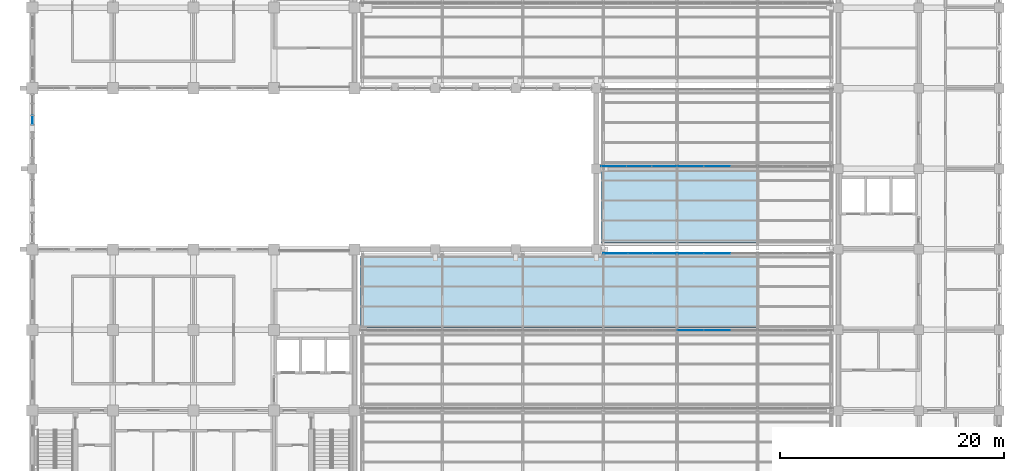
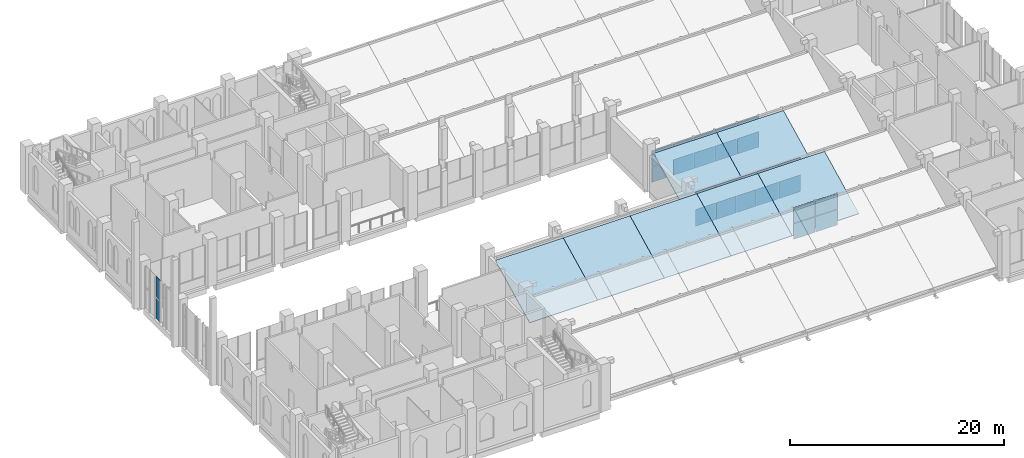
# One storey, part 62 of 83: 26 plates, 7 slabs, 6 elements without a shape of their own.
"""IFC4 building model written with IfcOpenShell, lengths in metres."""

from ifc_helpers import new_model, si_unit, direction, frame, origin, origin_2d, place, context, subcontext, project, spatial, polyline, rectangle, outline, extrude, material, layer, layer_set, type_object, element, aggregate, save


model = new_model("IFC4")

# Units and contexts
model_context = context("Model", 3, precision=1e-05, world=origin(), true_north=direction((0.0, 1.0)))
body_context = subcontext(model_context, "Body", "Model", "MODEL_VIEW")
ifc_project = project(units=[si_unit("LENGTHUNIT", "METRE"), si_unit("AREAUNIT", "SQUARE_METRE"), si_unit("VOLUMEUNIT", "CUBIC_METRE"), si_unit("PLANEANGLEUNIT", "RADIAN"), si_unit("MASSUNIT", "GRAM", prefix="KILO")], contexts=[model_context])

# Site, building, storey
site_placement = place(None, origin())
site = spatial("IfcSite", under=ifc_project, at=site_placement, CompositionType="ELEMENT")
building_placement = place(site_placement, origin())
building = spatial("IfcBuilding", under=site, at=building_placement, Name="Silangan Lancet Faculty of Sciences", CompositionType="ELEMENT")
storey_placement = place(building_placement, frame((0.0, 0.0, 11.39990234375)))
storey = spatial("IfcBuildingStorey", under=building, at=storey_placement, Name="L02", CompositionType="ELEMENT", Elevation=11.39990234375)

# Curtain wall, plates
ifc_material_1 = material(Name="Aluminium framed curtain wall with insulated glass", Category="aluminium")
curtain_wall_type_1 = type_object("IfcCurtainWallType", Name="CW3 West stepped lancet window", PredefinedType="NOTDEFINED", material=ifc_material_1)
curtain_wall_1_placement = place(storey_placement, origin())
curtain_wall_1 = element("IfcCurtainWall", 1, at=curtain_wall_1_placement, inside=storey, type_object=curtain_wall_type_1, Name="CW3 West window L02 bay 4", PredefinedType="NOTDEFINED")
ifc_material_2 = material(Name="Insulated glass unit 8+16+8 low-emissivity", Category="glass")
ifc_layer_1 = layer(ifc_material_2, 0.031982421875)
ifc_layer_set_1 = layer_set([ifc_layer_1], Name="Insulated glass unit 8+16+8 low-emissivity")
plate_type_1 = type_object("IfcPlateType", Name="CP1 Panel vision glass 32", PredefinedType="CURTAIN_PANEL", material=ifc_layer_set_1)
plate_1_placement = place(storey_placement, frame((0.0, 33.14990234375, 2.5), z_axis=(0.0, 0.0, 1.0), x_axis=(0.0, 1.0, 0.0)))
plate_1 = element("IfcPlate", 2, at=plate_1_placement, type_object=plate_type_1, Name="CW3 West window L02 bay 4 panel 3", PredefinedType="CURTAIN_PANEL", context=body_context, shape_type="SweptSolid", body=[
    extrude(rectangle(XDim=0.75, YDim=0.031982421875, at=origin_2d()), origin(), (0.0, 0.0, 1.0), 2.300048828125),
])
ifc_material_3 = material(Name="Laminated insulated glass unit 10.76+14+8", Category="glass")
ifc_layer_2 = layer(ifc_material_3, 0.035888671875)
ifc_layer_set_2 = layer_set([ifc_layer_2], Name="Laminated insulated glass unit 10.76+14+8")
plate_type_2 = type_object("IfcPlateType", Name="CP2 Panel laminated glass 36", PredefinedType="CURTAIN_PANEL", material=ifc_layer_set_2)
plate_2_placement = place(storey_placement, frame((0.0, 33.14990234375, 0.000244140625), z_axis=(0.0, 0.0, 1.0), x_axis=(0.0, 1.0, 0.0)))
plate_2 = element("IfcPlate", 3, at=plate_2_placement, type_object=plate_type_2, Name="CW3 West window L02 bay 4 panel 1", PredefinedType="CURTAIN_PANEL", context=body_context, shape_type="SweptSolid", body=[
    extrude(rectangle(XDim=0.75, YDim=0.035888671875, at=origin_2d()), origin(), (0.0, 0.0, 1.0), 2.39990234375),
])
aggregate(curtain_wall_1, [plate_2, plate_1])

ifc_material_4 = material(Name="Aluminium and laminated glass", Category="aluminium")
curtain_wall_type_2 = type_object("IfcCurtainWallType", Name="North light glazing system", PredefinedType="NOTDEFINED", material=ifc_material_4)
curtain_wall_2_placement = place(storey_placement, origin())
curtain_wall_2 = element("IfcCurtainWall", 4, at=curtain_wall_2_placement, inside=storey, type_object=curtain_wall_type_2, Name="North light glazing SAB-3-4", PredefinedType="NOTDEFINED")
ifc_material_5 = material(Name="Laminated glass 12 + 12", Category="glass")
ifc_layer_3 = layer(ifc_material_5, 0.02392578125)
ifc_layer_set_3 = layer_set([ifc_layer_3], Name="Laminated glass 12 + 12")
plate_type_3 = type_object("IfcPlateType", Name="North light glass panel 2122x1912", PredefinedType="CURTAIN_PANEL", material=ifc_layer_set_3)
plate_3_placement = place(storey_placement, frame((53.2666015625, 21.218017578125, 0.10009765625), z_axis=(0.0, -1.0, 0.0), x_axis=(1.0, 0.0, 0.0)))
plate_3 = element("IfcPlate", 5, at=plate_3_placement, type_object=plate_type_3, Name="North light glass SAB-3-4 1-2", PredefinedType="CURTAIN_PANEL", context=body_context, shape_type="SweptSolid", body=[
    extrude(outline(polyline([(0.0, 0.0), (2.12158203125, 0.0), (2.12158203125, 1.912109375), (0.0, 1.912109375), (0.0, 0.0)])), origin(), (0.0, 0.0, -1.0), 0.02392578125),
])
plate_4_placement = place(storey_placement, frame((53.2666015625, 21.218017578125, 2.072021484375), z_axis=(0.0, -1.0, 0.0), x_axis=(1.0, 0.0, 0.0)))
plate_4 = element("IfcPlate", 6, at=plate_4_placement, type_object=plate_type_3, Name="North light glass SAB-3-4 2-2", PredefinedType="CURTAIN_PANEL", context=body_context, shape_type="SweptSolid", body=[
    extrude(outline(polyline([(0.0, 0.0), (2.12158203125, 0.0), (2.12158203125, 1.912109375), (0.0, 1.912109375), (0.0, 0.0)])), origin(), (0.0, 0.0, -1.0), 0.02392578125),
])
plate_5_placement = place(storey_placement, frame((55.4482421875, 21.218017578125, 0.10009765625), z_axis=(0.0, -1.0, 0.0), x_axis=(1.0, 0.0, 0.0)))
plate_5 = element("IfcPlate", 7, at=plate_5_placement, type_object=plate_type_3, Name="North light glass SAB-3-4 1-3", PredefinedType="CURTAIN_PANEL", context=body_context, shape_type="SweptSolid", body=[
    extrude(outline(polyline([(0.0, 0.0), (2.121826171875, 0.0), (2.121826171875, 1.912109375), (0.0, 1.912109375), (0.0, 0.0)])), origin(), (0.0, 0.0, -1.0), 0.02392578125),
])
plate_6_placement = place(storey_placement, frame((55.4482421875, 21.218017578125, 2.072021484375), z_axis=(0.0, -1.0, 0.0), x_axis=(1.0, 0.0, 0.0)))
plate_6 = element("IfcPlate", 8, at=plate_6_placement, type_object=plate_type_3, Name="North light glass SAB-3-4 2-3", PredefinedType="CURTAIN_PANEL", context=body_context, shape_type="SweptSolid", body=[
    extrude(outline(polyline([(0.0, 0.0), (2.121826171875, 0.0), (2.121826171875, 1.912109375), (0.0, 1.912109375), (0.0, 0.0)])), origin(), (0.0, 0.0, -1.0), 0.02392578125),
])
ifc_material_6 = material(Name="Laminated glass 12 + 12", Category="glass")
ifc_layer_4 = layer(ifc_material_6, 0.02392578125)
ifc_layer_set_4 = layer_set([ifc_layer_4], Name="Laminated glass 12 + 12")
plate_type_4 = type_object("IfcPlateType", Name="North light glass panel 2182x1912", PredefinedType="CURTAIN_PANEL", material=ifc_layer_set_4)
plate_7_placement = place(storey_placement, frame((51.02490234375, 21.218017578125, 0.10009765625), z_axis=(0.0, -1.0, 0.0), x_axis=(1.0, 0.0, 0.0)))
plate_7 = element("IfcPlate", 9, at=plate_7_placement, type_object=plate_type_4, Name="North light glass SAB-3-4 1-1", PredefinedType="CURTAIN_PANEL", context=body_context, shape_type="SweptSolid", body=[
    extrude(outline(polyline([(0.0, 0.0), (2.181884765625, 0.0), (2.181884765625, 1.912109375), (0.0, 1.912109375), (0.0, 0.0)])), origin(), (0.0, 0.0, -1.0), 0.02392578125),
])
plate_8_placement = place(storey_placement, frame((51.02490234375, 21.218017578125, 2.072021484375), z_axis=(0.0, -1.0, 0.0), x_axis=(1.0, 0.0, 0.0)))
plate_8 = element("IfcPlate", 10, at=plate_8_placement, type_object=plate_type_4, Name="North light glass SAB-3-4 2-1", PredefinedType="CURTAIN_PANEL", context=body_context, shape_type="SweptSolid", body=[
    extrude(outline(polyline([(0.0, 0.0), (2.181884765625, 0.0), (2.181884765625, 1.912109375), (0.0, 1.912109375), (0.0, 0.0)])), origin(), (0.0, 0.0, -1.0), 0.02392578125),
])
aggregate(curtain_wall_2, [plate_7, plate_8, plate_3, plate_4, plate_5, plate_6])

curtain_wall_3_placement = place(storey_placement, origin())
curtain_wall_3 = element("IfcCurtainWall", 11, at=curtain_wall_3_placement, inside=storey, type_object=curtain_wall_type_2, Name="North light glazing AUD-1-1", PredefinedType="NOTDEFINED")
ifc_material_7 = material(Name="Laminated glass 12 + 12", Category="glass")
ifc_layer_5 = layer(ifc_material_7, 0.02392578125)
ifc_layer_set_5 = layer_set([ifc_layer_5], Name="Laminated glass 12 + 12")
plate_type_5 = type_object("IfcPlateType", Name="North light glass panel 2188x1771", PredefinedType="CURTAIN_PANEL", material=ifc_layer_set_5)
plate_9_placement = place(storey_placement, frame((53.13330078125, 29.012939453125, 0.4423828125), z_axis=(0.0, -1.0, 0.0), x_axis=(1.0, 0.0, 0.0)))
plate_9 = element("IfcPlate", 12, at=plate_9_placement, type_object=plate_type_5, Name="North light glass AUD-1-1 1-2", PredefinedType="CURTAIN_PANEL", context=body_context, shape_type="SweptSolid", body=[
    extrude(outline(polyline([(0.0, 0.0), (2.1884765625, 0.0), (2.1884765625, 1.77099609375), (0.0, 1.77099609375), (0.0, 0.0)])), origin(), (0.0, 0.0, -1.0), 0.02392578125),
])
plate_10_placement = place(storey_placement, frame((53.13330078125, 29.012939453125, 2.2734375), z_axis=(0.0, -1.0, 0.0), x_axis=(1.0, 0.0, 0.0)))
plate_10 = element("IfcPlate", 13, at=plate_10_placement, type_object=plate_type_5, Name="North light glass AUD-1-1 2-2", PredefinedType="CURTAIN_PANEL", context=body_context, shape_type="SweptSolid", body=[
    extrude(outline(polyline([(0.0, 0.0), (2.1884765625, 0.0), (2.1884765625, 1.77099609375), (0.0, 1.77099609375), (0.0, 0.0)])), origin(), (0.0, 0.0, -1.0), 0.02392578125),
])
plate_11_placement = place(storey_placement, frame((55.381591796875, 29.012939453125, 0.4423828125), z_axis=(0.0, -1.0, 0.0), x_axis=(1.0, 0.0, 0.0)))
plate_11 = element("IfcPlate", 14, at=plate_11_placement, type_object=plate_type_5, Name="North light glass AUD-1-1 1-3", PredefinedType="CURTAIN_PANEL", context=body_context, shape_type="SweptSolid", body=[
    extrude(outline(polyline([(0.0, 0.0), (2.1884765625, 0.0), (2.1884765625, 1.77099609375), (0.0, 1.77099609375), (0.0, 0.0)])), origin(), (0.0, 0.0, -1.0), 0.02392578125),
])
plate_12_placement = place(storey_placement, frame((55.381591796875, 29.012939453125, 2.2734375), z_axis=(0.0, -1.0, 0.0), x_axis=(1.0, 0.0, 0.0)))
plate_12 = element("IfcPlate", 15, at=plate_12_placement, type_object=plate_type_5, Name="North light glass AUD-1-1 2-3", PredefinedType="CURTAIN_PANEL", context=body_context, shape_type="SweptSolid", body=[
    extrude(outline(polyline([(0.0, 0.0), (2.1884765625, 0.0), (2.1884765625, 1.77099609375), (0.0, 1.77099609375), (0.0, 0.0)])), origin(), (0.0, 0.0, -1.0), 0.02392578125),
])
ifc_material_8 = material(Name="Laminated glass 12 + 12", Category="glass")
ifc_layer_6 = layer(ifc_material_8, 0.02392578125)
ifc_layer_set_6 = layer_set([ifc_layer_6], Name="Laminated glass 12 + 12")
plate_type_6 = type_object("IfcPlateType", Name="North light glass panel 2248x1771", PredefinedType="CURTAIN_PANEL", material=ifc_layer_set_6)
plate_13_placement = place(storey_placement, frame((50.824951171875, 29.012939453125, 0.4423828125), z_axis=(0.0, -1.0, 0.0), x_axis=(1.0, 0.0, 0.0)))
plate_13 = element("IfcPlate", 16, at=plate_13_placement, type_object=plate_type_6, Name="North light glass AUD-1-1 1-1", PredefinedType="CURTAIN_PANEL", context=body_context, shape_type="SweptSolid", body=[
    extrude(outline(polyline([(0.0, 0.0), (2.248291015625, 0.0), (2.248291015625, 1.77099609375), (0.0, 1.77099609375), (0.0, 0.0)])), origin(), (0.0, 0.0, -1.0), 0.02392578125),
])
plate_14_placement = place(storey_placement, frame((50.824951171875, 29.012939453125, 2.2734375), z_axis=(0.0, -1.0, 0.0), x_axis=(1.0, 0.0, 0.0)))
plate_14 = element("IfcPlate", 17, at=plate_14_placement, type_object=plate_type_6, Name="North light glass AUD-1-1 2-1", PredefinedType="CURTAIN_PANEL", context=body_context, shape_type="SweptSolid", body=[
    extrude(outline(polyline([(0.0, 0.0), (2.248291015625, 0.0), (2.248291015625, 1.77099609375), (0.0, 1.77099609375), (0.0, 0.0)])), origin(), (0.0, 0.0, -1.0), 0.02392578125),
])
aggregate(curtain_wall_3, [plate_13, plate_14, plate_9, plate_10, plate_11, plate_12])

curtain_wall_4_placement = place(storey_placement, origin())
curtain_wall_4 = element("IfcCurtainWall", 18, at=curtain_wall_4_placement, inside=storey, type_object=curtain_wall_type_2, Name="North light glazing SAB-2-5", PredefinedType="NOTDEFINED")
ifc_material_9 = material(Name="Laminated glass 12 + 12", Category="glass")
ifc_layer_7 = layer(ifc_material_9, 0.02392578125)
ifc_layer_set_7 = layer_set([ifc_layer_7], Name="Laminated glass 12 + 12")
plate_type_7 = type_object("IfcPlateType", Name="North light glass panel 2340x1768", PredefinedType="CURTAIN_PANEL", material=ifc_layer_set_7)
plate_15_placement = place(storey_placement, frame((57.6298828125, 14.3662109375, 0.4423828125), z_axis=(0.0, -1.0, 0.0), x_axis=(1.0, 0.0, 0.0)))
plate_15 = element("IfcPlate", 19, at=plate_15_placement, type_object=plate_type_7, Name="North light glass SAB-2-5 1-1", PredefinedType="CURTAIN_PANEL", context=body_context, shape_type="SweptSolid", body=[
    extrude(outline(polyline([(0.0, 0.0), (2.340087890625, 0.0), (2.340087890625, 1.76806640625), (0.0, 1.76806640625), (0.0, 0.0)])), origin(), (0.0, 0.0, -1.0), 0.02392578125),
])
plate_16_placement = place(storey_placement, frame((57.6298828125, 14.3662109375, 2.2705078125), z_axis=(0.0, -1.0, 0.0), x_axis=(1.0, 0.0, 0.0)))
plate_16 = element("IfcPlate", 20, at=plate_16_placement, type_object=plate_type_7, Name="North light glass SAB-2-5 2-1", PredefinedType="CURTAIN_PANEL", context=body_context, shape_type="SweptSolid", body=[
    extrude(outline(polyline([(0.0, 0.0), (2.340087890625, 0.0), (2.340087890625, 1.767822265625), (0.0, 1.767822265625), (0.0, 0.0)])), origin(), (0.0, 0.0, -1.0), 0.02392578125),
])
plate_17_placement = place(storey_placement, frame((60.030029296875, 14.3662109375, 0.4423828125), z_axis=(0.0, -1.0, 0.0), x_axis=(1.0, 0.0, 0.0)))
plate_17 = element("IfcPlate", 21, at=plate_17_placement, type_object=plate_type_7, Name="North light glass SAB-2-5 1-2", PredefinedType="CURTAIN_PANEL", context=body_context, shape_type="SweptSolid", body=[
    extrude(outline(polyline([(0.0, 0.0), (2.340087890625, 0.0), (2.340087890625, 1.76806640625), (0.0, 1.76806640625), (0.0, 0.0)])), origin(), (0.0, 0.0, -1.0), 0.02392578125),
])
plate_18_placement = place(storey_placement, frame((60.030029296875, 14.3662109375, 2.2705078125), z_axis=(0.0, -1.0, 0.0), x_axis=(1.0, 0.0, 0.0)))
plate_18 = element("IfcPlate", 22, at=plate_18_placement, type_object=plate_type_7, Name="North light glass SAB-2-5 2-2", PredefinedType="CURTAIN_PANEL", context=body_context, shape_type="SweptSolid", body=[
    extrude(outline(polyline([(0.0, 0.0), (2.340087890625, 0.0), (2.340087890625, 1.767822265625), (0.0, 1.767822265625), (0.0, 0.0)])), origin(), (0.0, 0.0, -1.0), 0.02392578125),
])
aggregate(curtain_wall_4, [plate_15, plate_16, plate_17, plate_18])

curtain_wall_5_placement = place(storey_placement, origin())
curtain_wall_5 = element("IfcCurtainWall", 23, at=curtain_wall_5_placement, inside=storey, type_object=curtain_wall_type_2, Name="North light glazing AUD-1-2", PredefinedType="NOTDEFINED")
ifc_material_10 = material(Name="Laminated glass 12 + 12", Category="glass")
ifc_layer_8 = layer(ifc_material_10, 0.02392578125)
ifc_layer_set_8 = layer_set([ifc_layer_8], Name="Laminated glass 12 + 12")
plate_type_8 = type_object("IfcPlateType", Name="North light glass panel 2340x1771", PredefinedType="CURTAIN_PANEL", material=ifc_layer_set_8)
plate_19_placement = place(storey_placement, frame((57.6298828125, 29.012939453125, 0.4423828125), z_axis=(0.0, -1.0, 0.0), x_axis=(1.0, 0.0, 0.0)))
plate_19 = element("IfcPlate", 24, at=plate_19_placement, type_object=plate_type_8, Name="North light glass AUD-1-2 1-1", PredefinedType="CURTAIN_PANEL", context=body_context, shape_type="SweptSolid", body=[
    extrude(outline(polyline([(0.0, 0.0), (2.340087890625, 0.0), (2.340087890625, 1.77099609375), (0.0, 1.77099609375), (0.0, 0.0)])), origin(), (0.0, 0.0, -1.0), 0.02392578125),
])
plate_20_placement = place(storey_placement, frame((57.6298828125, 29.012939453125, 2.2734375), z_axis=(0.0, -1.0, 0.0), x_axis=(1.0, 0.0, 0.0)))
plate_20 = element("IfcPlate", 25, at=plate_20_placement, type_object=plate_type_8, Name="North light glass AUD-1-2 2-1", PredefinedType="CURTAIN_PANEL", context=body_context, shape_type="SweptSolid", body=[
    extrude(outline(polyline([(0.0, 0.0), (2.340087890625, 0.0), (2.340087890625, 1.77099609375), (0.0, 1.77099609375), (0.0, 0.0)])), origin(), (0.0, 0.0, -1.0), 0.02392578125),
])
plate_21_placement = place(storey_placement, frame((60.030029296875, 29.012939453125, 0.4423828125), z_axis=(0.0, -1.0, 0.0), x_axis=(1.0, 0.0, 0.0)))
plate_21 = element("IfcPlate", 26, at=plate_21_placement, type_object=plate_type_8, Name="North light glass AUD-1-2 1-2", PredefinedType="CURTAIN_PANEL", context=body_context, shape_type="SweptSolid", body=[
    extrude(outline(polyline([(0.0, 0.0), (2.340087890625, 0.0), (2.340087890625, 1.77099609375), (0.0, 1.77099609375), (0.0, 0.0)])), origin(), (0.0, 0.0, -1.0), 0.02392578125),
])
plate_22_placement = place(storey_placement, frame((60.030029296875, 29.012939453125, 2.2734375), z_axis=(0.0, -1.0, 0.0), x_axis=(1.0, 0.0, 0.0)))
plate_22 = element("IfcPlate", 27, at=plate_22_placement, type_object=plate_type_8, Name="North light glass AUD-1-2 2-2", PredefinedType="CURTAIN_PANEL", context=body_context, shape_type="SweptSolid", body=[
    extrude(outline(polyline([(0.0, 0.0), (2.340087890625, 0.0), (2.340087890625, 1.77099609375), (0.0, 1.77099609375), (0.0, 0.0)])), origin(), (0.0, 0.0, -1.0), 0.02392578125),
])
aggregate(curtain_wall_5, [plate_19, plate_20, plate_21, plate_22])

curtain_wall_6_placement = place(storey_placement, origin())
curtain_wall_6 = element("IfcCurtainWall", 28, at=curtain_wall_6_placement, inside=storey, type_object=curtain_wall_type_2, Name="North light glazing SAB-3-5", PredefinedType="NOTDEFINED")
ifc_material_11 = material(Name="Laminated glass 12 + 12", Category="glass")
ifc_layer_9 = layer(ifc_material_11, 0.02392578125)
ifc_layer_set_9 = layer_set([ifc_layer_9], Name="Laminated glass 12 + 12")
plate_type_9 = type_object("IfcPlateType", Name="North light glass panel 2340x1912", PredefinedType="CURTAIN_PANEL", material=ifc_layer_set_9)
plate_23_placement = place(storey_placement, frame((57.6298828125, 21.218017578125, 0.10009765625), z_axis=(0.0, -1.0, 0.0), x_axis=(1.0, 0.0, 0.0)))
plate_23 = element("IfcPlate", 29, at=plate_23_placement, type_object=plate_type_9, Name="North light glass SAB-3-5 1-1", PredefinedType="CURTAIN_PANEL", context=body_context, shape_type="SweptSolid", body=[
    extrude(outline(polyline([(0.0, 0.0), (2.340087890625, 0.0), (2.340087890625, 1.912109375), (0.0, 1.912109375), (0.0, 0.0)])), origin(), (0.0, 0.0, -1.0), 0.02392578125),
])
plate_24_placement = place(storey_placement, frame((57.6298828125, 21.218017578125, 2.072021484375), z_axis=(0.0, -1.0, 0.0), x_axis=(1.0, 0.0, 0.0)))
plate_24 = element("IfcPlate", 30, at=plate_24_placement, type_object=plate_type_9, Name="North light glass SAB-3-5 2-1", PredefinedType="CURTAIN_PANEL", context=body_context, shape_type="SweptSolid", body=[
    extrude(outline(polyline([(0.0, 0.0), (2.340087890625, 0.0), (2.340087890625, 1.912109375), (0.0, 1.912109375), (0.0, 0.0)])), origin(), (0.0, 0.0, -1.0), 0.02392578125),
])
plate_25_placement = place(storey_placement, frame((60.030029296875, 21.218017578125, 0.10009765625), z_axis=(0.0, -1.0, 0.0), x_axis=(1.0, 0.0, 0.0)))
plate_25 = element("IfcPlate", 31, at=plate_25_placement, type_object=plate_type_9, Name="North light glass SAB-3-5 1-2", PredefinedType="CURTAIN_PANEL", context=body_context, shape_type="SweptSolid", body=[
    extrude(outline(polyline([(0.0, 0.0), (2.340087890625, 0.0), (2.340087890625, 1.912109375), (0.0, 1.912109375), (0.0, 0.0)])), origin(), (0.0, 0.0, -1.0), 0.02392578125),
])
plate_26_placement = place(storey_placement, frame((60.030029296875, 21.218017578125, 2.072021484375), z_axis=(0.0, -1.0, 0.0), x_axis=(1.0, 0.0, 0.0)))
plate_26 = element("IfcPlate", 32, at=plate_26_placement, type_object=plate_type_9, Name="North light glass SAB-3-5 2-2", PredefinedType="CURTAIN_PANEL", context=body_context, shape_type="SweptSolid", body=[
    extrude(outline(polyline([(0.0, 0.0), (2.340087890625, 0.0), (2.340087890625, 1.912109375), (0.0, 1.912109375), (0.0, 0.0)])), origin(), (0.0, 0.0, -1.0), 0.02392578125),
])
aggregate(curtain_wall_6, [plate_23, plate_24, plate_25, plate_26])

# Slabs
ifc_material_12 = material(Name="Insulated cold-formed steel roof sheeting", Category="steel")
ifc_layer_10 = layer(ifc_material_12, 0.10009765625)
ifc_layer_set_10 = layer_set([ifc_layer_10], Name="Insulated cold-formed steel roof sheeting")
slab_type = type_object("IfcSlabType", Name="Roof sheeting panel 100", PredefinedType="ROOF", material=ifc_layer_set_10)
slab_1_placement = place(storey_placement, frame((29.300048828125, 14.55322265625, 0.770263671875), z_axis=(0.0, -0.4472135955, 0.894427191), x_axis=(1.0, 0.0, 0.0)))
element("IfcSlab", 33, at=slab_1_placement, inside=storey, type_object=slab_type, Name="Roof sheeting SAB-3-1", PredefinedType="ROOF", context=body_context, shape_type="SweptSolid", body=[
    extrude(outline(polyline([(0.0, 0.0), (7.324951171875, 0.0), (7.324951171875, 7.174415371167538), (0.0, 7.174415371167538), (0.0, 0.0)])), origin(), (0.0, 0.0, -1.0), 0.10009765625),
])
for number, where, z_axis, x_axis, name in (
    (34, (36.625, 14.55322265625, 0.770263671875), (0.0, -0.4472135955, 0.894427191), (1.0, 0.0, 0.0), "Roof sheeting SAB-3-2"),
    (35, (43.824951171875, 14.55322265625, 0.770263671875), (0.0, -0.4472135955, 0.894427191), (1.0, 0.0, 0.0), "Roof sheeting SAB-3-3"),
):
    element("IfcSlab", number, at=place(storey_placement, frame(where, z_axis=z_axis, x_axis=x_axis)), inside=storey, type_object=slab_type, Name=name, PredefinedType="ROOF", context=body_context, shape_type="SweptSolid", body=[
        extrude(outline(polyline([(0.0, 0.0), (7.199951171875, 0.0), (7.199951171875, 7.174415371167538), (0.0, 7.174415371167538), (0.0, 0.0)])), origin(), (0.0, 0.0, -1.0), 0.10009765625),
    ])
slab_2_placement = place(storey_placement, frame((51.02490234375, 14.55322265625, 0.770263671875), z_axis=(0.0, -0.4472135955, 0.894427191), x_axis=(1.0, 0.0, 0.0)))
element("IfcSlab", 36, at=slab_2_placement, inside=storey, type_object=slab_type, Name="Roof sheeting SAB-3-4", PredefinedType="ROOF", context=body_context, shape_type="SweptSolid", body=[
    extrude(outline(polyline([(0.0, 0.0), (6.5751953125, 0.0), (6.5751953125, 7.174415371167538), (0.0, 7.174415371167538), (0.0, 0.0)])), origin(), (0.0, 0.0, -1.0), 0.10009765625),
])
slab_3_placement = place(storey_placement, frame((57.60009765625, 14.55322265625, 0.770263671875), z_axis=(0.0, -0.4472135955, 0.894427191), x_axis=(1.0, 0.0, 0.0)))
element("IfcSlab", 37, at=slab_3_placement, inside=storey, type_object=slab_type, Name="Roof sheeting SAB-3-5", PredefinedType="ROOF", context=body_context, shape_type="SweptSolid", body=[
    extrude(outline(polyline([(0.0, 0.0), (7.199951171875, 0.0), (7.199951171875, 7.174415371167538), (0.0, 7.174415371167538), (0.0, 0.0)])), origin(), (0.0, 0.0, -1.0), 0.10009765625),
])
slab_4_placement = place(storey_placement, frame((50.824951171875, 22.22998046875, 0.770263671875), z_axis=(0.0, -0.4472135955, 0.894427191), x_axis=(1.0, 0.0, 0.0)))
element("IfcSlab", 38, at=slab_4_placement, inside=storey, type_object=slab_type, Name="Roof sheeting AUD-1-1", PredefinedType="ROOF", context=body_context, shape_type="SweptSolid", body=[
    extrude(outline(polyline([(0.0, 0.0), (6.775146484375, 0.0), (6.775146484375, 7.183695926738216), (0.0, 7.183695926738216), (0.0, 0.0)])), origin(), (0.0, 0.0, -1.0), 0.10009765625),
])
slab_5_placement = place(storey_placement, frame((57.60009765625, 22.22998046875, 0.770263671875), z_axis=(0.0, -0.4472135955, 0.894427191), x_axis=(1.0, 0.0, 0.0)))
element("IfcSlab", 39, at=slab_5_placement, inside=storey, type_object=slab_type, Name="Roof sheeting AUD-1-2", PredefinedType="ROOF", context=body_context, shape_type="SweptSolid", body=[
    extrude(outline(polyline([(0.0, 0.0), (7.199951171875, 0.0), (7.199951171875, 7.183695926738216), (0.0, 7.183695926738216), (0.0, 0.0)])), origin(), (0.0, 0.0, -1.0), 0.10009765625),
])

save(model, "model.ifc")
